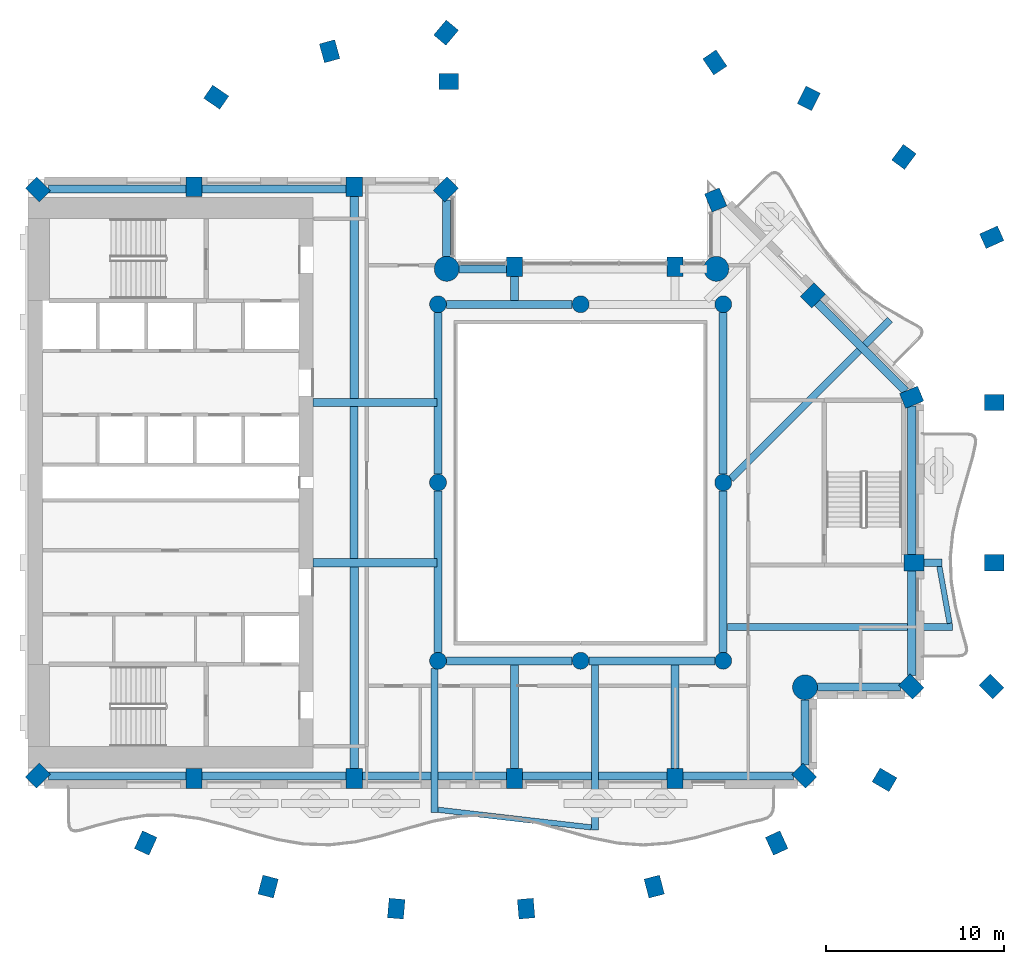
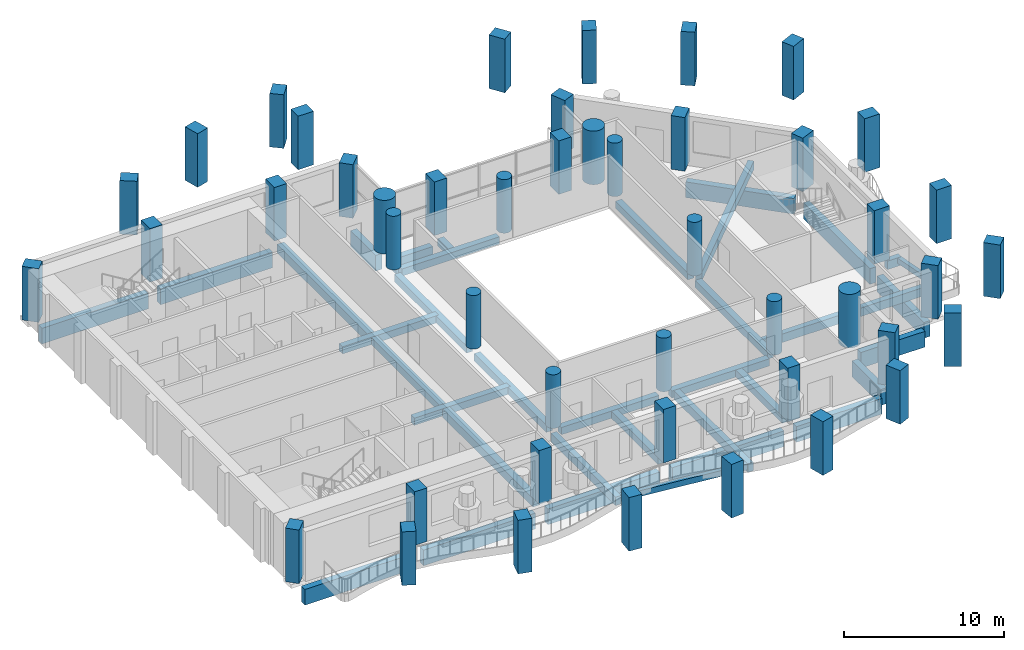
# One storey, part 1 of 14: 46 columns, 36 beams.
"""IFC4 building model written with IfcOpenShell, lengths in metres."""

from ifc_helpers import new_model, si_unit, direction, frame, origin, origin_2d, place, context, subcontext, project, spatial, rectangle, circle, extrude, material, material_profile, profile_set, type_object, element, save


model = new_model("IFC4")

# Units and contexts
model_context = context("Model", 3, precision=1e-05, world=origin(), true_north=direction((0.0, 1.0)))
body_context = subcontext(model_context, "Body", "Model", "MODEL_VIEW")
ifc_project = project(units=[si_unit("LENGTHUNIT", "METRE"), si_unit("AREAUNIT", "SQUARE_METRE"), si_unit("VOLUMEUNIT", "CUBIC_METRE"), si_unit("PLANEANGLEUNIT", "RADIAN"), si_unit("MASSUNIT", "GRAM", prefix="KILO")], contexts=[model_context])

# Site, building, storey
site_placement = place(None, origin())
site = spatial("IfcSite", under=ifc_project, at=site_placement, CompositionType="ELEMENT")
building_placement = place(site_placement, origin())
building = spatial("IfcBuilding", under=site, at=building_placement, Name="Cypress Arch Tower", CompositionType="ELEMENT")
storey_placement = place(building_placement, frame((0.0, 0.0, 226.10009765625)))
storey = spatial("IfcBuildingStorey", under=building, at=storey_placement, Name="L50", CompositionType="ELEMENT", Elevation=226.10009765625)

# Columns
ifc_material_1 = material(Name="Concrete C70/85", Category="concrete")
ifc_material_profile_1 = material_profile(ifc_material_1, rectangle(XDim=0.89990234375, YDim=1.10009765625, at=origin_2d()), Name="RC 900x1100")
ifc_profile_set_1 = profile_set([ifc_material_profile_1], Name="Concrete C70/85")
column_type_1 = type_object("IfcColumnType", Name="Column RC 900x1100 Concrete C70/85", PredefinedType="COLUMN", material=ifc_profile_set_1)
for number, where, z_axis, x_axis, name in (
    (1, (-29.44287109375, 16.44287109375, 0.0), (0.0, 0.0, 1.0), (-0.707106781187, -0.707106781187, 0.0), "Column L50 CB00"),
    (2, (-29.44287109375, -16.44287109375, 0.0), (0.0, 0.0, 1.0), (0.707106781187, -0.707106781187, 0.0), "Column L50 CB01"),
    (3, (-20.699951171875, -16.60009765625, 0.0), (0.0, 0.0, 1.0), (1.0, 0.0, 0.0), "Column L50 CB02"),
    (4, (-11.699951171875, -16.60009765625, 0.0), (0.0, 0.0, 1.0), (1.0, 0.0, 0.0), "Column L50 CB03"),
    (5, (-2.699951171875, -16.60009765625, 0.0), (0.0, 0.0, 1.0), (1.0, 0.0, 0.0), "Column L50 CB04"),
    (6, (6.300048828125, -16.60009765625, 0.0), (0.0, 0.0, 1.0), (1.0, 0.0, 0.0), "Column L50 CB05"),
    (7, (13.54296875, -16.44287109375, 0.0), (0.0, 0.0, 1.0), (0.707106781187, 0.707106781187, 0.0), "Column L50 CB06"),
    (8, (19.54296875, -11.44287109375, 0.0), (0.0, 0.0, 1.0), (0.707106781187, 0.707106781187, 0.0), "Column L50 CB08"),
    (9, (19.699951171875, -4.5, 0.0), (0.0, 0.0, 1.0), (0.0, 1.0, 0.0), "Column L50 CB09"),
    (10, (19.569580078125, 4.7802734375, 0.0), (0.0, 0.0, 1.0), (-0.382683496864, 0.923879505795, 0.0), "Column L50 CB10"),
    (11, (14.029296875, 10.505126953125, 0.0), (0.0, 0.0, 1.0), (-0.707106781187, 0.707106781187, 0.0), "Column L50 CB11"),
    (12, (8.576171875, 15.850341796875, 0.0), (0.0, 0.0, 1.0), (-0.923879672772, -0.382683093746, 0.0), "Column L50 CB12"),
    (13, (6.300048828125, 12.10009765625, 0.0), (0.0, 0.0, 1.0), (-1.0, 0.0, 0.0), "Column L50 CB14"),
    (14, (-2.699951171875, 12.10009765625, 0.0), (0.0, 0.0, 1.0), (-1.0, 0.0, 0.0), "Column L50 CB15"),
    (15, (-6.55712890625, 16.44287109375, 0.0), (0.0, 0.0, 1.0), (-0.707106781187, 0.707106781187, 0.0), "Column L50 CB17"),
    (16, (-11.699951171875, 16.60009765625, 0.0), (0.0, 0.0, 1.0), (-1.0, 0.0, 0.0), "Column L50 CB18"),
    (17, (-20.699951171875, 16.60009765625, 0.0), (0.0, 0.0, 1.0), (-1.0, 0.0, 0.0), "Column L50 CB19"),
    (18, (8.53076171875, 23.564697265625, 0.0), (0.0, 0.0, 1.0), (-0.828469606019, -0.560034027451, 0.0), "Column L50 CQ00"),
    (19, (-6.39990234375, 22.5, 0.0), (0.0, 0.0, 1.0), (0.0, 1.0, 0.0), "Column L50 CQ01"),
    (20, (-6.54833984375, 25.236572265625, 0.0), (0.0, 0.0, 1.0), (-0.766063514674, 0.642764880407, 0.0), "Column L50 CQ02"),
    (21, (-13.081298828125, 24.193359375, 0.0), (0.0, 0.0, 1.0), (-0.96345574646, -0.267867550506, 0.0), "Column L50 CQ03"),
    (22, (-19.44189453125, 21.616943359375, 0.0), (0.0, 0.0, 1.0), (-0.565892599589, -0.824478966215, 0.0), "Column L50 CQ04"),
    (23, (-23.398193359375, -20.221435546875, 0.0), (0.0, 0.0, 1.0), (0.909932071487, -0.414757308891, 0.0), "Column L50 CQ05"),
    (24, (-16.529052734375, -22.666259765625, 0.0), (0.0, 0.0, 1.0), (0.96735573689, -0.2534223319, 0.0), "Column L50 CQ06"),
    (25, (-9.3427734375, -23.903564453125, 0.0), (0.0, 0.0, 1.0), (0.996368206733, -0.085149260784, 0.0), "Column L50 CQ07"),
    (26, (-2.057373046875, -23.903564453125, 0.0), (0.0, 0.0, 1.0), (0.996368206733, 0.085149260784, 0.0), "Column L50 CQ08"),
    (27, (5.12890625, -22.666259765625, 0.0), (0.0, 0.0, 1.0), (0.96735573689, 0.2534223319, 0.0), "Column L50 CQ09"),
    (28, (11.998291015625, -20.221435546875, 0.0), (0.0, 0.0, 1.0), (0.909932071487, 0.414757308891, 0.0), "Column L50 CQ10"),
    (29, (18.048095703125, -16.677490234375, 0.0), (0.0, 0.0, 1.0), (0.504399289829, 0.86347053014, 0.0), "Column L50 CQ11"),
    (30, (24.04296875, -11.44287109375, 0.0), (0.0, 0.0, 1.0), (0.707106781187, 0.707106781187, 0.0), "Column L50 CQ12"),
    (31, (24.199951171875, -4.5, 0.0), (0.0, 0.0, 1.0), (0.0, 1.0, 0.0), "Column L50 CQ13"),
    (32, (24.199951171875, 4.5, 0.0), (0.0, 0.0, 1.0), (0.0, 1.0, 0.0), "Column L50 CQ14"),
    (33, (24.06396484375, 13.75927734375, 0.0), (0.0, 0.0, 1.0), (-0.409765058504, 0.912191096662, 0.0), "Column L50 CQ15"),
    (34, (19.13818359375, 18.267578125, 0.0), (0.0, 0.0, 1.0), (-0.802798546114, 0.596250362144, 0.0), "Column L50 CQ16"),
    (35, (13.80322265625, 21.549072265625, 0.0), (0.0, 0.0, 1.0), (-0.893106499805, 0.44984528452, 0.0), "Column L50 CQ17"),
):
    element("IfcColumn", number, at=place(storey_placement, frame(where, z_axis=z_axis, x_axis=x_axis)), inside=storey, type_object=column_type_1, Name=name, PredefinedType="COLUMN", context=body_context, shape_type="SweptSolid", body=[
        extrude(rectangle(XDim=0.89990234375, YDim=1.10009765625, at=origin_2d()), origin(), (0.0, 0.0, 1.0), 4.099853515625),
    ])
ifc_material_2 = material(Name="Concrete C70/85", Category="concrete")
ifc_material_profile_2 = material_profile(ifc_material_2, circle(Radius=0.47509765625, at=origin_2d()), Name="RC D950")
ifc_profile_set_2 = profile_set([ifc_material_profile_2], Name="Concrete C70/85")
column_type_2 = type_object("IfcColumnType", Name="Column RC D950 Concrete C70/85", PredefinedType="COLUMN", material=ifc_profile_set_2)
for number, where, z_axis, x_axis, name in (
    (36, (-7.0, -10.0, 0.0), (0.0, 0.0, 1.0), (1.0, 0.0, 0.0), "Column L50 RNG-L50-G-7-10"),
    (37, (-7.0, 0.0, 0.0), (0.0, 0.0, 1.0), (1.0, 0.0, 0.0), "Column L50 RNG-L50-G-7+0"),
    (38, (-7.0, 10.0, 0.0), (0.0, 0.0, 1.0), (1.0, 0.0, 0.0), "Column L50 RNG-L50-G-7+10"),
    (39, (1.0, -10.0, 0.0), (0.0, 0.0, 1.0), (1.0, 0.0, 0.0), "Column L50 RNG-L50-G+1-10"),
    (40, (1.0, 10.0, 0.0), (0.0, 0.0, 1.0), (1.0, 0.0, 0.0), "Column L50 RNG-L50-G+1+10"),
    (41, (9.0, -10.0, 0.0), (0.0, 0.0, 1.0), (1.0, 0.0, 0.0), "Column L50 RNG-L50-G+9-10"),
    (42, (9.0, 0.0, 0.0), (0.0, 0.0, 1.0), (1.0, 0.0, 0.0), "Column L50 RNG-L50-G+9+0"),
    (43, (9.0, 10.0, 0.0), (0.0, 0.0, 1.0), (1.0, 0.0, 0.0), "Column L50 RNG-L50-G+9+10"),
):
    element("IfcColumn", number, at=place(storey_placement, frame(where, z_axis=z_axis, x_axis=x_axis)), inside=storey, type_object=column_type_2, Name=name, PredefinedType="COLUMN", context=body_context, shape_type="SweptSolid", body=[
        extrude(circle(Radius=0.47509765625, at=origin_2d()), origin(), (0.0, 0.0, 1.0), 4.099853515625),
    ])
ifc_material_3 = material(Name="Concrete C70/85", Category="concrete")
ifc_material_profile_3 = material_profile(ifc_material_3, circle(Radius=0.699951171875, at=origin_2d()), Name="RC D1400")
ifc_profile_set_3 = profile_set([ifc_material_profile_3], Name="Concrete C70/85")
column_type_3 = type_object("IfcColumnType", Name="Mega-column RC D1400 Concrete C70/85", PredefinedType="COLUMN", material=ifc_profile_set_3)
for number, where, z_axis, x_axis, name in (
    (44, (13.587890625, -11.48779296875, 0.0), (0.0, 0.0, 1.0), (1.0, 0.0, 0.0), "Column L50 CB07"),
    (45, (8.612060546875, 11.98779296875, 0.0), (0.0, 0.0, 1.0), (1.0, 0.0, 0.0), "Column L50 CB13"),
    (46, (-6.51220703125, 11.98779296875, 0.0), (0.0, 0.0, 1.0), (1.0, 0.0, 0.0), "Column L50 CB16"),
):
    element("IfcColumn", number, at=place(storey_placement, frame(where, z_axis=z_axis, x_axis=x_axis)), inside=storey, type_object=column_type_3, Name=name, PredefinedType="COLUMN", context=body_context, shape_type="SweptSolid", body=[
        extrude(circle(Radius=0.699951171875, at=origin_2d()), origin(), (0.0, 0.0, 1.0), 4.099853515625),
    ])

# Beams
ifc_material_4 = material(Name="Concrete C50/60", Category="concrete")
ifc_material_profile_4 = material_profile(ifc_material_4, rectangle(XDim=0.300048828125, YDim=0.39990234375, at=origin_2d()), Name="RC 300x400")
ifc_profile_set_4 = profile_set([ifc_material_profile_4], Name="Concrete C50/60")
beam_type_1 = type_object("IfcBeamType", Name="Balcony edge beam RC 300x400 Concrete C50/60", PredefinedType="BEAM", material=ifc_profile_set_4)
beam_1_placement = place(storey_placement, frame((21.69970703125, -7.89990234375, -0.5), z_axis=(-0.177279547361, 0.984160536746, 0.0), x_axis=(-0.984160536746, -0.177279547361, 0.0)))
element("IfcBeam", 47, at=beam_1_placement, inside=storey, type_object=beam_type_1, Name="Balcony edge beam L50 B04", PredefinedType="BEAM", context=body_context, shape_type="SweptSolid", body=[
    extrude(rectangle(XDim=0.300048828125, YDim=0.39990234375, at=origin_2d()), origin(), (0.0, 0.0, 1.0), 3.25146484375),
])
ifc_material_5 = material(Name="Concrete C50/60", Category="concrete")
ifc_material_profile_5 = material_profile(ifc_material_5, rectangle(XDim=0.300048828125, YDim=0.449951171875, at=origin_2d()), Name="RC 300x450")
ifc_profile_set_5 = profile_set([ifc_material_profile_5], Name="Concrete C50/60")
beam_type_2 = type_object("IfcBeamType", Name="Balcony edge beam RC 300x450 Concrete C50/60", PredefinedType="BEAM", material=ifc_profile_set_5)
beam_2_placement = place(storey_placement, frame((-7.0, -18.357666015625, -0.525146484375), z_axis=(0.993455541714, -0.114219466983, 0.0), x_axis=(0.114219466983, 0.993455541714, 0.0)))
element("IfcBeam", 48, at=beam_2_placement, inside=storey, type_object=beam_type_2, Name="Balcony edge beam L50 B01", PredefinedType="BEAM", context=body_context, shape_type="SweptSolid", body=[
    extrude(rectangle(XDim=0.300048828125, YDim=0.449951171875, at=origin_2d()), origin(), (0.0, 0.0, 1.0), 8.65673828125),
])
ifc_material_6 = material(Name="Concrete C50/60", Category="concrete")
ifc_material_profile_6 = material_profile(ifc_material_6, rectangle(XDim=0.39990234375, YDim=0.64990234375, at=origin_2d()), Name="RC 400x650")
ifc_profile_set_6 = profile_set([ifc_material_profile_6], Name="Concrete C50/60")
beam_type_3 = type_object("IfcBeamType", Name="Cantilever beam RC 400x650 Concrete C50/60", PredefinedType="BEAM", material=ifc_profile_set_6)
beam_3_placement = place(storey_placement, frame((-7.199951171875, -10.4306640625, -0.625), z_axis=(0.0, -1.0, 0.0), x_axis=(1.0, 0.0, 0.0)))
element("IfcBeam", 49, at=beam_3_placement, inside=storey, type_object=beam_type_3, Name="Cantilever beam L50 B01 1", PredefinedType="BEAM", context=body_context, shape_type="SweptSolid", body=[
    extrude(rectangle(XDim=0.39990234375, YDim=0.64990234375, at=origin_2d()), origin(), (0.0, 0.0, 1.0), 8.076904296875),
])
beam_4_placement = place(storey_placement, frame((1.800048828125, -10.22509765625, -0.625), z_axis=(0.0, -1.0, 0.0), x_axis=(1.0, 0.0, 0.0)))
element("IfcBeam", 50, at=beam_4_placement, inside=storey, type_object=beam_type_3, Name="Cantilever beam L50 B01 2", PredefinedType="BEAM", context=body_context, shape_type="SweptSolid", body=[
    extrude(rectangle(XDim=0.39990234375, YDim=0.64990234375, at=origin_2d()), origin(), (0.0, 0.0, 1.0), 9.271484375),
])
beam_5_placement = place(storey_placement, frame((9.22509765625, -8.10009765625, -0.625), z_axis=(1.0, 0.0, 0.0), x_axis=(0.0, 1.0, 0.0)))
element("IfcBeam", 51, at=beam_5_placement, inside=storey, type_object=beam_type_3, Name="Cantilever beam L50 B04 1", PredefinedType="BEAM", context=body_context, shape_type="SweptSolid", body=[
    extrude(rectangle(XDim=0.39990234375, YDim=0.64990234375, at=origin_2d()), origin(), (0.0, 0.0, 1.0), 12.624755859375),
])
beam_6_placement = place(storey_placement, frame((20.25, -4.5, -0.625), z_axis=(1.0, 0.0, 0.0), x_axis=(0.0, 1.0, 0.0)))
element("IfcBeam", 52, at=beam_6_placement, inside=storey, type_object=beam_type_3, Name="Cantilever beam L50 B04 2", PredefinedType="BEAM", context=body_context, shape_type="SweptSolid", body=[
    extrude(rectangle(XDim=0.39990234375, YDim=0.64990234375, at=origin_2d()), origin(), (0.0, 0.0, 1.0), 1.0234375),
])
beam_7_placement = place(storey_placement, frame((9.4287109375, 0.204345703125, -0.625), z_axis=(0.707097108109, 0.707116454131, 0.0), x_axis=(-0.707116454131, 0.707097108109, 0.0)))
element("IfcBeam", 53, at=beam_7_placement, inside=storey, type_object=beam_type_3, Name="Cantilever beam L50 B05 1", PredefinedType="BEAM", context=body_context, shape_type="SweptSolid", body=[
    extrude(rectangle(XDim=0.39990234375, YDim=0.64990234375, at=origin_2d()), origin(), (0.0, 0.0, 1.0), 12.61962890625),
])
ifc_material_7 = material(Name="Concrete C50/60", Category="concrete")
ifc_material_profile_7 = material_profile(ifc_material_7, rectangle(XDim=0.449951171875, YDim=0.550048828125, at=origin_2d()), Name="RC 450x550")
ifc_profile_set_7 = profile_set([ifc_material_profile_7], Name="Concrete C50/60")
beam_type_4 = type_object("IfcBeamType", Name="Floor beam RC 450x550 Concrete C50/60", PredefinedType="BEAM", material=ifc_profile_set_7)
for number, where, z_axis, x_axis, name in (
    (54, (-7.0, -9.52490234375, -0.5751953125), (0.0, 1.0, 0.0), (-1.0, 0.0, 0.0), "Floor beam L50 RB001"),
    (55, (-7.0, 0.47509765625, -0.5751953125), (0.0, 1.0, 0.0), (-1.0, 0.0, 0.0), "Floor beam L50 RB002"),
    (56, (9.0, -9.52490234375, -0.5751953125), (0.0, 1.0, 0.0), (-1.0, 0.0, 0.0), "Floor beam L50 RB003"),
    (57, (9.0, 0.47509765625, -0.5751953125), (0.0, 1.0, 0.0), (-1.0, 0.0, 0.0), "Floor beam L50 RB004"),
):
    element("IfcBeam", number, at=place(storey_placement, frame(where, z_axis=z_axis, x_axis=x_axis)), inside=storey, type_object=beam_type_4, Name=name, PredefinedType="BEAM", context=body_context, shape_type="SweptSolid", body=[
        extrude(rectangle(XDim=0.449951171875, YDim=0.550048828125, at=origin_2d()), origin(), (0.0, 0.0, 1.0), 9.0498046875),
    ])
for number, where, z_axis, x_axis, name in (
    (58, (-6.52490234375, -10.0, -0.5751953125), (1.0, 0.0, 0.0), (0.0, 1.0, 0.0), "Floor beam L50 RB005"),
    (59, (1.47509765625, -10.0, -0.5751953125), (1.0, 0.0, 0.0), (0.0, 1.0, 0.0), "Floor beam L50 RB006"),
    (60, (-6.52490234375, 10.0, -0.5751953125), (1.0, 0.0, 0.0), (0.0, 1.0, 0.0), "Floor beam L50 RB007"),
):
    element("IfcBeam", number, at=place(storey_placement, frame(where, z_axis=z_axis, x_axis=x_axis)), inside=storey, type_object=beam_type_4, Name=name, PredefinedType="BEAM", context=body_context, shape_type="SweptSolid", body=[
        extrude(rectangle(XDim=0.449951171875, YDim=0.550048828125, at=origin_2d()), origin(), (0.0, 0.0, 1.0), 7.0498046875),
    ])
for number, where, z_axis, x_axis, name in (
    (61, (-14.0, -4.5, -0.5751953125), (1.0, 0.0, 0.0), (0.0, 1.0, 0.0), "Floor beam L50 FB009"),
    (62, (-14.0, 4.5, -0.5751953125), (1.0, 0.0, 0.0), (0.0, 1.0, 0.0), "Floor beam L50 FB010"),
):
    element("IfcBeam", number, at=place(storey_placement, frame(where, z_axis=z_axis, x_axis=x_axis)), inside=storey, type_object=beam_type_4, Name=name, PredefinedType="BEAM", context=body_context, shape_type="SweptSolid", body=[
        extrude(rectangle(XDim=0.449951171875, YDim=0.550048828125, at=origin_2d()), origin(), (0.0, 0.0, 1.0), 6.949951171875),
    ])
beam_8_placement = place(storey_placement, frame((-11.699951171875, -4.27490234375, -0.5751953125), z_axis=(0.0, 1.0, 0.0), x_axis=(-1.0, 0.0, 0.0)))
element("IfcBeam", 63, at=beam_8_placement, inside=storey, type_object=beam_type_4, Name="Floor beam L50 FB012", PredefinedType="BEAM", context=body_context, shape_type="SweptSolid", body=[
    extrude(rectangle(XDim=0.449951171875, YDim=0.550048828125, at=origin_2d()), origin(), (0.0, 0.0, 1.0), 8.5498046875),
])
beam_9_placement = place(storey_placement, frame((-2.699951171875, -16.050048828125, -0.5751953125), z_axis=(0.0, 1.0, 0.0), x_axis=(-1.0, 0.0, 0.0)))
element("IfcBeam", 64, at=beam_9_placement, inside=storey, type_object=beam_type_4, Name="Floor beam L50 FB014", PredefinedType="BEAM", context=body_context, shape_type="SweptSolid", body=[
    extrude(rectangle(XDim=0.449951171875, YDim=0.550048828125, at=origin_2d()), origin(), (0.0, 0.0, 1.0), 5.824951171875),
])
beam_10_placement = place(storey_placement, frame((-2.699951171875, 10.22509765625, -0.5751953125), z_axis=(0.0, 1.0, 0.0), x_axis=(-1.0, 0.0, 0.0)))
element("IfcBeam", 65, at=beam_10_placement, inside=storey, type_object=beam_type_4, Name="Floor beam L50 FB015", PredefinedType="BEAM", context=body_context, shape_type="SweptSolid", body=[
    extrude(rectangle(XDim=0.449951171875, YDim=0.550048828125, at=origin_2d()), origin(), (0.0, 0.0, 1.0), 1.324951171875),
])
beam_11_placement = place(storey_placement, frame((6.300048828125, -16.050048828125, -0.5751953125), z_axis=(0.0, 1.0, 0.0), x_axis=(-1.0, 0.0, 0.0)))
element("IfcBeam", 66, at=beam_11_placement, inside=storey, type_object=beam_type_4, Name="Floor beam L50 FB016", PredefinedType="BEAM", context=body_context, shape_type="SweptSolid", body=[
    extrude(rectangle(XDim=0.449951171875, YDim=0.550048828125, at=origin_2d()), origin(), (0.0, 0.0, 1.0), 5.824951171875),
])
ifc_material_8 = material(Name="Concrete C50/60", Category="concrete")
ifc_material_profile_8 = material_profile(ifc_material_8, rectangle(XDim=0.5, YDim=0.64990234375, at=origin_2d()), Name="RC 500x650")
ifc_profile_set_8 = profile_set([ifc_material_profile_8], Name="Concrete C50/60")
beam_type_5 = type_object("IfcBeamType", Name="Floor beam RC 500x650 Concrete C50/60", PredefinedType="BEAM", material=ifc_profile_set_8)
for number, where, z_axis, x_axis, name in (
    (67, (-11.699951171875, -16.050048828125, -0.625), (0.0, 1.0, 0.0), (-1.0, 0.0, 0.0), "Floor beam L50 FB011"),
    (68, (-11.699951171875, 4.72509765625, -0.625), (0.0, 1.0, 0.0), (-1.0, 0.0, 0.0), "Floor beam L50 FB013"),
):
    element("IfcBeam", number, at=place(storey_placement, frame(where, z_axis=z_axis, x_axis=x_axis)), inside=storey, type_object=beam_type_5, Name=name, PredefinedType="BEAM", context=body_context, shape_type="SweptSolid", body=[
        extrude(rectangle(XDim=0.5, YDim=0.64990234375, at=origin_2d()), origin(), (0.0, 0.0, 1.0), 11.324951171875),
    ])
ifc_material_9 = material(Name="Concrete C50/60", Category="concrete")
ifc_material_profile_9 = material_profile(ifc_material_9, rectangle(XDim=0.449951171875, YDim=1.199951171875, at=origin_2d()), Name="RC 450x1200")
ifc_profile_set_9 = profile_set([ifc_material_profile_9], Name="Concrete C50/60")
beam_type_6 = type_object("IfcBeamType", Name="Spandrel beam RC 450x1200 Concrete C50/60", PredefinedType="SPANDREL", material=ifc_profile_set_9)
beam_12_placement = place(storey_placement, frame((-28.838623046875, -16.47509765625, -1.550048828125), z_axis=(1.0, 0.0, 0.0), x_axis=(0.0, 1.0, 0.0)))
element("IfcBeam", 69, at=beam_12_placement, inside=storey, type_object=beam_type_6, Name="Spandrel beam L50 BB01-0", PredefinedType="SPANDREL", context=body_context, shape_type="SweptSolid", body=[
    extrude(rectangle(XDim=0.449951171875, YDim=1.199951171875, at=origin_2d()), origin(), (0.0, 0.0, 1.0), 7.688720703125),
])
for number, where, z_axis, x_axis, name in (
    (70, (-20.25, -16.47509765625, -1.550048828125), (1.0, 0.0, 0.0), (0.0, 1.0, 0.0), "Spandrel beam L50 BB01-1"),
    (71, (-11.25, -16.47509765625, -1.550048828125), (1.0, 0.0, 0.0), (0.0, 1.0, 0.0), "Spandrel beam L50 BB01-2"),
    (72, (-2.25, -16.47509765625, -1.550048828125), (1.0, 0.0, 0.0), (0.0, 1.0, 0.0), "Spandrel beam L50 BB01-3"),
):
    element("IfcBeam", number, at=place(storey_placement, frame(where, z_axis=z_axis, x_axis=x_axis)), inside=storey, type_object=beam_type_6, Name=name, PredefinedType="SPANDREL", context=body_context, shape_type="SweptSolid", body=[
        extrude(rectangle(XDim=0.449951171875, YDim=1.199951171875, at=origin_2d()), origin(), (0.0, 0.0, 1.0), 8.10009765625),
    ])
beam_13_placement = place(storey_placement, frame((6.75, -16.47509765625, -1.550048828125), z_axis=(1.0, 0.0, 0.0), x_axis=(0.0, 1.0, 0.0)))
element("IfcBeam", 73, at=beam_13_placement, inside=storey, type_object=beam_type_6, Name="Spandrel beam L50 BB01-4", PredefinedType="SPANDREL", context=body_context, shape_type="SweptSolid", body=[
    extrude(rectangle(XDim=0.449951171875, YDim=1.199951171875, at=origin_2d()), origin(), (0.0, 0.0, 1.0), 6.188720703125),
])
beam_14_placement = place(storey_placement, frame((13.574951171875, -15.838623046875, -1.550048828125), z_axis=(0.0, 1.0, 0.0), x_axis=(-1.0, 0.0, 0.0)))
element("IfcBeam", 74, at=beam_14_placement, inside=storey, type_object=beam_type_6, Name="Spandrel beam L50 BB02-0", PredefinedType="SPANDREL", context=body_context, shape_type="SweptSolid", body=[
    extrude(rectangle(XDim=0.449951171875, YDim=1.199951171875, at=origin_2d()), origin(), (0.0, 0.0, 1.0), 3.651123046875),
])
beam_15_placement = place(storey_placement, frame((14.28759765625, -11.47509765625, -1.550048828125), z_axis=(1.0, 0.0, 0.0), x_axis=(0.0, 1.0, 0.0)))
element("IfcBeam", 75, at=beam_15_placement, inside=storey, type_object=beam_type_6, Name="Spandrel beam L50 BB03-0", PredefinedType="SPANDREL", context=body_context, shape_type="SweptSolid", body=[
    extrude(rectangle(XDim=0.449951171875, YDim=1.199951171875, at=origin_2d()), origin(), (0.0, 0.0, 1.0), 4.651123046875),
])
beam_16_placement = place(storey_placement, frame((19.574951171875, -10.838623046875, -1.550048828125), z_axis=(0.0, 1.0, 0.0), x_axis=(-1.0, 0.0, 0.0)))
element("IfcBeam", 76, at=beam_16_placement, inside=storey, type_object=beam_type_6, Name="Spandrel beam L50 BB04-0", PredefinedType="SPANDREL", context=body_context, shape_type="SweptSolid", body=[
    extrude(rectangle(XDim=0.449951171875, YDim=1.199951171875, at=origin_2d()), origin(), (0.0, 0.0, 1.0), 5.888671875),
])
beam_17_placement = place(storey_placement, frame((19.574951171875, -4.050048828125, -1.550048828125), z_axis=(0.0, 1.0, 0.0), x_axis=(-1.0, 0.0, 0.0)))
element("IfcBeam", 77, at=beam_17_placement, inside=storey, type_object=beam_type_6, Name="Spandrel beam L50 BB04-1", PredefinedType="SPANDREL", context=body_context, shape_type="SweptSolid", body=[
    extrude(rectangle(XDim=0.449951171875, YDim=1.199951171875, at=origin_2d()), origin(), (0.0, 0.0, 1.0), 8.345458984375),
])
beam_18_placement = place(storey_placement, frame((19.23046875, 5.126953125, -1.550048828125), z_axis=(-0.707106781187, 0.707106781187, 0.0), x_axis=(-0.707106781187, -0.707106781187, 0.0)))
element("IfcBeam", 78, at=beam_18_placement, inside=storey, type_object=beam_type_6, Name="Spandrel beam L50 BB05-0", PredefinedType="SPANDREL", context=body_context, shape_type="SweptSolid", body=[
    extrude(rectangle(XDim=0.449951171875, YDim=1.199951171875, at=origin_2d()), origin(), (0.0, 0.0, 1.0), 7.03076171875),
])
beam_19_placement = place(storey_placement, frame((-3.14990234375, 11.97509765625, -1.550048828125), z_axis=(-1.0, 0.0, 0.0), x_axis=(0.0, -1.0, 0.0)))
element("IfcBeam", 79, at=beam_19_placement, inside=storey, type_object=beam_type_6, Name="Spandrel beam L50 BB07-2", PredefinedType="SPANDREL", context=body_context, shape_type="SweptSolid", body=[
    extrude(rectangle(XDim=0.449951171875, YDim=1.199951171875, at=origin_2d()), origin(), (0.0, 0.0, 1.0), 2.66259765625),
])
beam_20_placement = place(storey_placement, frame((-6.52490234375, 12.6875, -1.550048828125), z_axis=(0.0, 1.0, 0.0), x_axis=(-1.0, 0.0, 0.0)))
element("IfcBeam", 80, at=beam_20_placement, inside=storey, type_object=beam_type_6, Name="Spandrel beam L50 BB08-0", PredefinedType="SPANDREL", context=body_context, shape_type="SweptSolid", body=[
    extrude(rectangle(XDim=0.449951171875, YDim=1.199951171875, at=origin_2d()), origin(), (0.0, 0.0, 1.0), 3.151123046875),
])
beam_21_placement = place(storey_placement, frame((-12.14990234375, 16.47509765625, -1.550048828125), z_axis=(-1.0, 0.0, 0.0), x_axis=(0.0, -1.0, 0.0)))
element("IfcBeam", 81, at=beam_21_placement, inside=storey, type_object=beam_type_6, Name="Spandrel beam L50 BB09-1", PredefinedType="SPANDREL", context=body_context, shape_type="SweptSolid", body=[
    extrude(rectangle(XDim=0.449951171875, YDim=1.199951171875, at=origin_2d()), origin(), (0.0, 0.0, 1.0), 8.10009765625),
])
beam_22_placement = place(storey_placement, frame((-21.14990234375, 16.47509765625, -1.550048828125), z_axis=(-1.0, 0.0, 0.0), x_axis=(0.0, -1.0, 0.0)))
element("IfcBeam", 82, at=beam_22_placement, inside=storey, type_object=beam_type_6, Name="Spandrel beam L50 BB09-2", PredefinedType="SPANDREL", context=body_context, shape_type="SweptSolid", body=[
    extrude(rectangle(XDim=0.449951171875, YDim=1.199951171875, at=origin_2d()), origin(), (0.0, 0.0, 1.0), 7.688720703125),
])

save(model, "model.ifc")
